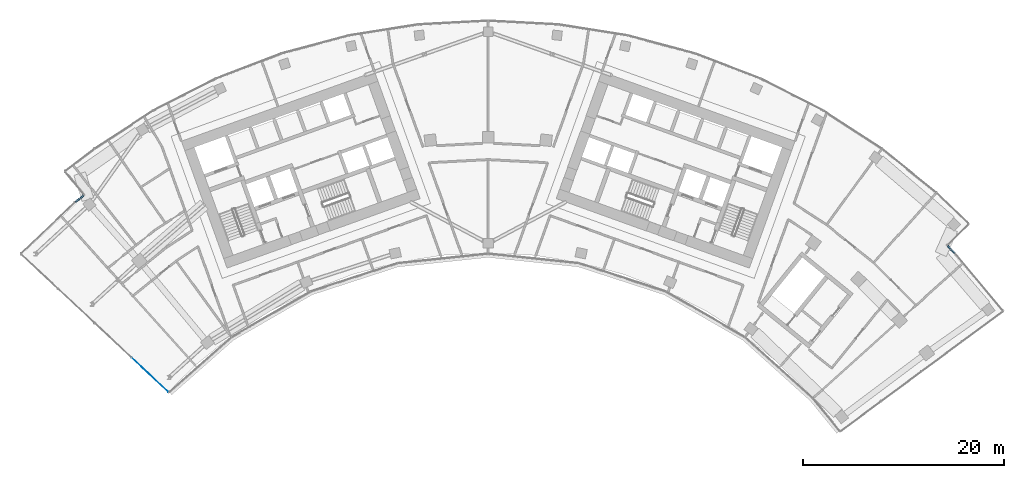
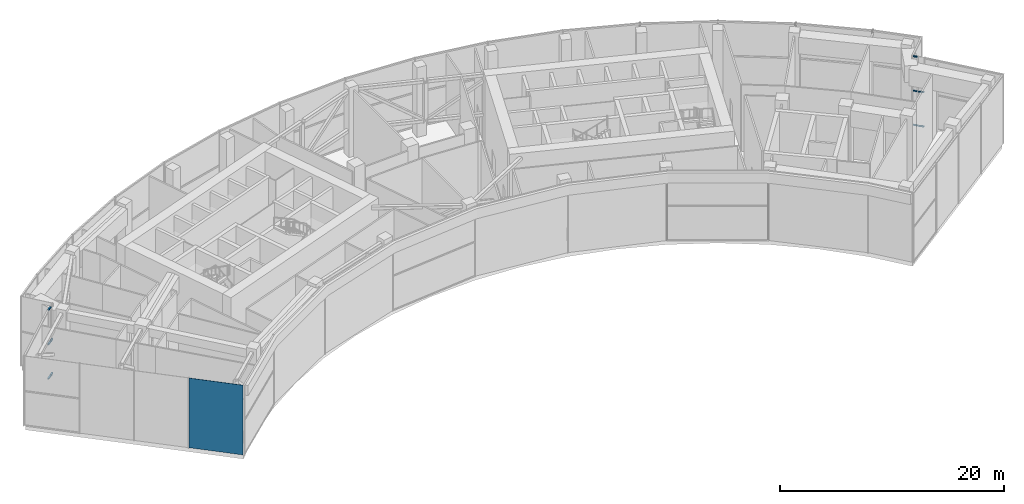
# One storey, part 12 of 26: 10 members, 1 plate, 5 elements without a shape of their own.
"""IFC4 building model written with IfcOpenShell, lengths in metres."""

from ifc_helpers import new_model, si_unit, direction, frame, origin, origin_2d, place, context, subcontext, project, spatial, rectangle, extrude, material, layer, layer_set, material_profile, profile_set, type_object, element, aggregate, save


model = new_model("IFC4")

# Units and contexts
model_context = context("Model", 3, precision=1e-05, world=origin(), true_north=direction((0.0, 1.0)))
body_context = subcontext(model_context, "Body", "Model", "MODEL_VIEW")
ifc_project = project(units=[si_unit("LENGTHUNIT", "METRE"), si_unit("AREAUNIT", "SQUARE_METRE"), si_unit("VOLUMEUNIT", "CUBIC_METRE"), si_unit("PLANEANGLEUNIT", "RADIAN"), si_unit("MASSUNIT", "GRAM", prefix="KILO")], contexts=[model_context])

# Site, building, storey
site_placement = place(None, origin())
site = spatial("IfcSite", under=ifc_project, at=site_placement, CompositionType="ELEMENT")
building_placement = place(site_placement, origin())
building = spatial("IfcBuilding", under=site, at=building_placement, Name="Stone Belt Terrace Tower", CompositionType="ELEMENT")
storey_placement = place(building_placement, frame((0.0, 0.0, 250.39990234375)))
storey = spatial("IfcBuildingStorey", under=building, at=storey_placement, Name="L61", CompositionType="ELEMENT", Elevation=250.39990234375)

# Curtain wall, members
ifc_material_1 = material(Name="Aluminium 6063-T6 anodised frame", Category="aluminium")
ifc_layer_1 = layer(ifc_material_1, 0.14990234375)
ifc_layer_set_1 = layer_set([ifc_layer_1], Name="CW-C stick curtain wall, horn ends and notches")
curtain_wall_type = type_object("IfcCurtainWallType", Name="CW-C stick curtain wall, horn ends and notches", PredefinedType="NOTDEFINED", material=ifc_layer_set_1)
curtain_wall_1_placement = place(storey_placement, origin())
curtain_wall_1 = element("IfcCurtainWall", 1, at=curtain_wall_1_placement, inside=storey, type_object=curtain_wall_type, Name="CW-C end face L61", PredefinedType="NOTDEFINED")
ifc_material_profile = material_profile(ifc_material_1, rectangle(XDim=0.14990234375, YDim=0.1201171875, at=origin_2d()), Name="Aluminium 6063-T6 150x120")
ifc_profile_set = profile_set([ifc_material_profile], Name="Aluminium 6063-T6 anodised frame")
member_type = type_object("IfcMemberType", Name="CW-C transom 120 x 150", PredefinedType="USERDEFINED", material=ifc_profile_set)
member_1_placement = place(storey_placement, frame((46.378173828125, 43.480712890625, 0.06005859375), z_axis=(-0.731328464802, 0.682025422231, 0.0), x_axis=(-0.682025422231, -0.731328464802, 0.0)))
member_1 = element("IfcMember", 2, at=member_1_placement, type_object=member_type, Name="CW-C transom 1.1", ObjectType="TRANSOM", PredefinedType="USERDEFINED", context=body_context, shape_type="SweptSolid", body=[
    extrude(rectangle(XDim=0.14990234375, YDim=0.1201171875, at=origin_2d()), origin(), (0.0, 0.0, 1.0), 0.534912109375),
])
member_2_placement = place(storey_placement, frame((46.378173828125, 43.480712890625, 3.800048828125), z_axis=(-0.731328464802, 0.682025422231, 0.0), x_axis=(-0.682025422231, -0.731328464802, 0.0)))
member_2 = element("IfcMember", 3, at=member_2_placement, type_object=member_type, Name="CW-C transom 1.2", ObjectType="TRANSOM", PredefinedType="USERDEFINED", context=body_context, shape_type="SweptSolid", body=[
    extrude(rectangle(XDim=0.14990234375, YDim=0.1201171875, at=origin_2d()), origin(), (0.0, 0.0, 1.0), 0.534912109375),
])
aggregate(curtain_wall_1, [member_1, member_2])

curtain_wall_2_placement = place(storey_placement, origin())
curtain_wall_2 = element("IfcCurtainWall", 4, at=curtain_wall_2_placement, inside=storey, type_object=curtain_wall_type, Name="CW-C end face L61", PredefinedType="NOTDEFINED")
member_3_placement = place(storey_placement, frame((45.939697265625, 43.89501953125, 0.06005859375), z_axis=(-0.647110130338, 0.762396536728, 0.0), x_axis=(-0.762396536728, -0.647110130338, 0.0)))
member_3 = element("IfcMember", 5, at=member_3_placement, type_object=member_type, Name="CW-C transom 1.1", ObjectType="TRANSOM", PredefinedType="USERDEFINED", context=body_context, shape_type="SweptSolid", body=[
    extrude(rectangle(XDim=0.14990234375, YDim=0.1201171875, at=origin_2d()), origin(), (0.0, 0.0, 1.0), 0.42138671875),
])
member_4_placement = place(storey_placement, frame((45.939697265625, 43.89501953125, 3.800048828125), z_axis=(-0.647110130338, 0.762396536728, 0.0), x_axis=(-0.762396536728, -0.647110130338, 0.0)))
member_4 = element("IfcMember", 6, at=member_4_placement, type_object=member_type, Name="CW-C transom 1.2", ObjectType="TRANSOM", PredefinedType="USERDEFINED", context=body_context, shape_type="SweptSolid", body=[
    extrude(rectangle(XDim=0.14990234375, YDim=0.1201171875, at=origin_2d()), origin(), (0.0, 0.0, 1.0), 0.42138671875),
])
member_5_placement = place(storey_placement, frame((45.939697265625, 43.89501953125, 7.5400390625), z_axis=(-0.647110130338, 0.762396536728, 0.0), x_axis=(-0.762396536728, -0.647110130338, 0.0)))
member_5 = element("IfcMember", 7, at=member_5_placement, type_object=member_type, Name="CW-C transom 1.3", ObjectType="TRANSOM", PredefinedType="USERDEFINED", context=body_context, shape_type="SweptSolid", body=[
    extrude(rectangle(XDim=0.14990234375, YDim=0.1201171875, at=origin_2d()), origin(), (0.0, 0.0, 1.0), 0.42138671875),
])
aggregate(curtain_wall_2, [member_3, member_4, member_5])

curtain_wall_3_placement = place(storey_placement, origin())
curtain_wall_3 = element("IfcCurtainWall", 8, at=curtain_wall_3_placement, inside=storey, type_object=curtain_wall_type, Name="CW-C end face L61", PredefinedType="NOTDEFINED")
member_6_placement = place(storey_placement, frame((-40.224365234375, 49.21923828125, 0.06005859375), z_axis=(-0.731575130053, -0.681760829828, 0.0), x_axis=(0.681760829828, -0.731575130053, 0.0)))
member_6 = element("IfcMember", 9, at=member_6_placement, type_object=member_type, Name="CW-C transom 1.1", ObjectType="TRANSOM", PredefinedType="USERDEFINED", context=body_context, shape_type="SweptSolid", body=[
    extrude(rectangle(XDim=0.14990234375, YDim=0.1201171875, at=origin_2d()), origin(), (0.0, 0.0, 1.0), 0.42138671875),
])
member_7_placement = place(storey_placement, frame((-40.224365234375, 49.21923828125, 3.800048828125), z_axis=(-0.731575130053, -0.681760829828, 0.0), x_axis=(0.681760829828, -0.731575130053, 0.0)))
member_7 = element("IfcMember", 10, at=member_7_placement, type_object=member_type, Name="CW-C transom 1.2", ObjectType="TRANSOM", PredefinedType="USERDEFINED", context=body_context, shape_type="SweptSolid", body=[
    extrude(rectangle(XDim=0.14990234375, YDim=0.1201171875, at=origin_2d()), origin(), (0.0, 0.0, 1.0), 0.42138671875),
])
aggregate(curtain_wall_3, [member_6, member_7])

curtain_wall_4_placement = place(storey_placement, origin())
curtain_wall_4 = element("IfcCurtainWall", 11, at=curtain_wall_4_placement, inside=storey, type_object=curtain_wall_type, Name="CW-C end face L61", PredefinedType="NOTDEFINED")
member_8_placement = place(storey_placement, frame((-40.58544921875, 48.88818359375, 0.06005859375), z_axis=(-0.805606161399, -0.59245144334, 0.0), x_axis=(0.59245144334, -0.805606161399, 0.0)))
member_8 = element("IfcMember", 12, at=member_8_placement, type_object=member_type, Name="CW-C transom 1.1", ObjectType="TRANSOM", PredefinedType="USERDEFINED", context=body_context, shape_type="SweptSolid", body=[
    extrude(rectangle(XDim=0.14990234375, YDim=0.1201171875, at=origin_2d()), origin(), (0.0, 0.0, 1.0), 0.534912109375),
])
member_9_placement = place(storey_placement, frame((-40.58544921875, 48.88818359375, 3.800048828125), z_axis=(-0.805606161399, -0.59245144334, 0.0), x_axis=(0.59245144334, -0.805606161399, 0.0)))
member_9 = element("IfcMember", 13, at=member_9_placement, type_object=member_type, Name="CW-C transom 1.2", ObjectType="TRANSOM", PredefinedType="USERDEFINED", context=body_context, shape_type="SweptSolid", body=[
    extrude(rectangle(XDim=0.14990234375, YDim=0.1201171875, at=origin_2d()), origin(), (0.0, 0.0, 1.0), 0.534912109375),
])
member_10_placement = place(storey_placement, frame((-40.58544921875, 48.88818359375, 7.5400390625), z_axis=(-0.805606161399, -0.59245144334, 0.0), x_axis=(0.59245144334, -0.805606161399, 0.0)))
member_10 = element("IfcMember", 14, at=member_10_placement, type_object=member_type, Name="CW-C transom 1.3", ObjectType="TRANSOM", PredefinedType="USERDEFINED", context=body_context, shape_type="SweptSolid", body=[
    extrude(rectangle(XDim=0.14990234375, YDim=0.1201171875, at=origin_2d()), origin(), (0.0, 0.0, 1.0), 0.534912109375),
])
aggregate(curtain_wall_4, [member_8, member_9, member_10])

# Curtain wall, plate
curtain_wall_5_placement = place(storey_placement, origin())
curtain_wall_5 = element("IfcCurtainWall", 15, at=curtain_wall_5_placement, inside=storey, type_object=curtain_wall_type, Name="CW-C end face L61", PredefinedType="NOTDEFINED")
ifc_material_2 = material(Name="Terracotta coloured glazed ceramic", Category="masonry")
ifc_layer_2 = layer(ifc_material_2, 0.028076171875)
ifc_layer_set_2 = layer_set([ifc_layer_2], Name="CW-C ceramic louvre panel 28")
plate_type = type_object("IfcPlateType", Name="CW-C ceramic louvre panel 28", PredefinedType="CURTAIN_PANEL", material=ifc_layer_set_2)
plate_placement = place(storey_placement, frame((-33.617431640625, 31.3798828125, 0.0), z_axis=(0.0, 0.0, 1.0), x_axis=(0.729904219708, -0.683549434973, 0.0)))
plate = element("IfcPlate", 16, at=plate_placement, type_object=plate_type, Name="CW-C louvre panel 4.1", PredefinedType="CURTAIN_PANEL", context=body_context, shape_type="SweptSolid", body=[
    extrude(rectangle(XDim=4.965576171875, YDim=0.028076171875, at=origin_2d()), origin(), (0.0, 0.0, 1.0), 7.60009765625),
])
aggregate(curtain_wall_5, [plate])

save(model, "model.ifc")
